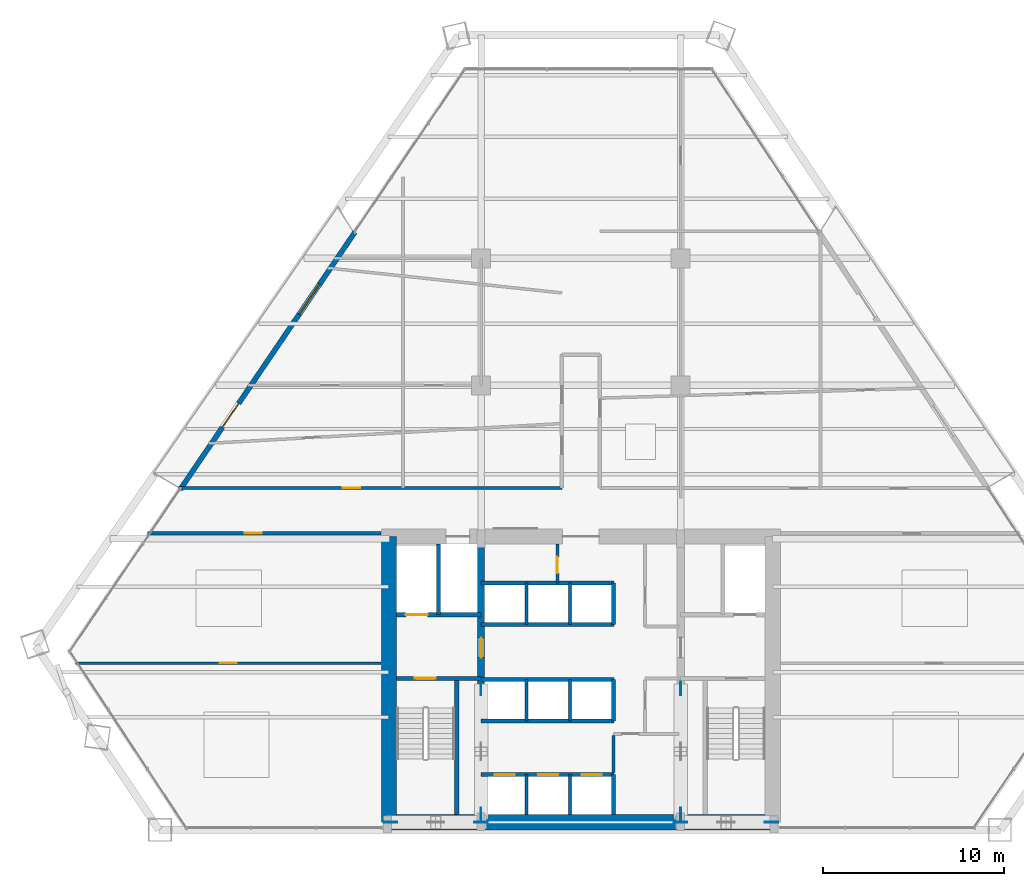
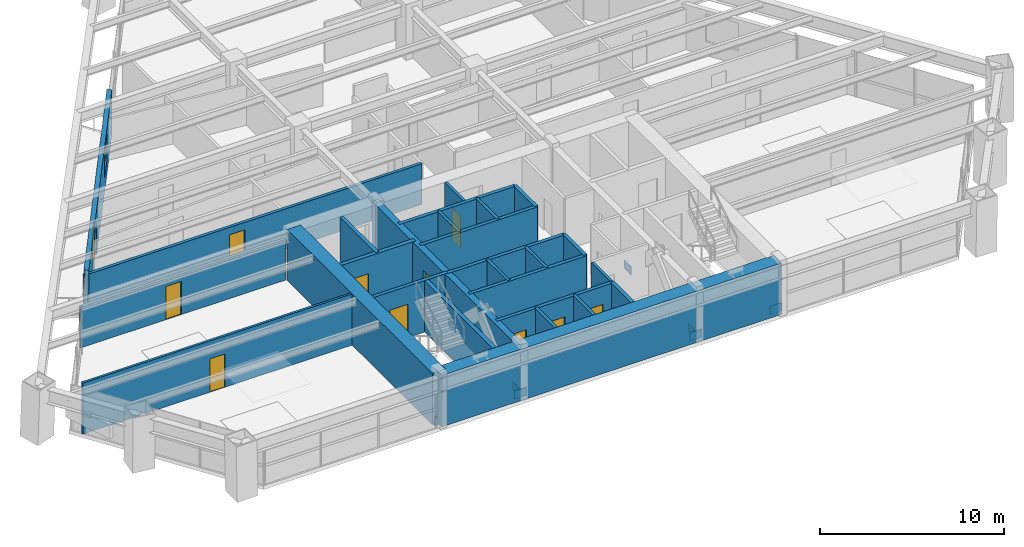
# One storey, part 10 of 14: 27 walls, 11 doors, 8 plates, 1 window, 12 openings.
"""IFC4 building model written with IfcOpenShell, lengths in metres."""

from ifc_helpers import new_model, si_unit, direction, frame, frame_2d, origin, origin_2d, place, context, subcontext, project, spatial, rectangle, extrude, source, transform, mapped, material, layer, layer_set, type_object, type_shapes, element, fill, save


model = new_model("IFC4")

# Units and contexts
model_context = context("Model", 3, precision=1e-05, world=origin(), true_north=direction((0.0, 1.0)))
body_context = subcontext(model_context, "Body", "Model", "MODEL_VIEW")
ifc_project = project(units=[si_unit("LENGTHUNIT", "METRE"), si_unit("AREAUNIT", "SQUARE_METRE"), si_unit("VOLUMEUNIT", "CUBIC_METRE"), si_unit("PLANEANGLEUNIT", "RADIAN"), si_unit("MASSUNIT", "GRAM", prefix="KILO")], contexts=[model_context])

# Site, building, storey
site_placement = place(None, origin())
site = spatial("IfcSite", under=ifc_project, at=site_placement, CompositionType="ELEMENT")
building_placement = place(site_placement, origin())
building = spatial("IfcBuilding", under=site, at=building_placement, Name="Varnakhor Terracotta Tower", CompositionType="ELEMENT")
storey_placement = place(building_placement, frame((0.0, 0.0, 68.199951171875)))
storey = spatial("IfcBuildingStorey", under=building, at=storey_placement, Name="L16", CompositionType="ELEMENT", Elevation=68.199951171875)

# Plates
ifc_material_1 = material(Name="Steel S460", Category="steel")
ifc_layer_1 = layer(ifc_material_1, 0.050048828125, Name="Steel S460")
ifc_layer_set_1 = layer_set([ifc_layer_1], Name="Steel S460")
plate_type = type_object("IfcPlateType", Name="PLT-GUSSET-50", PredefinedType="USERDEFINED", material=ifc_layer_set_1)
shared_shape_1 = source(origin(), body_context, "Body", "SweptSolid", [
    extrude(rectangle(XDim=0.75, YDim=0.0400390625, at=origin_2d()), origin(), (0.0, 0.0, 1.0), 0.550048828125),
])
type_shapes(plate_type, [shared_shape_1])
for number, where, z_axis, x_axis, name in (
    (1, (-10.5, 0.419921875, -0.09521484375), (0.0, 0.0, 1.0), (1.0, 0.0, 0.0), "L16 Core Brace Embed Plate CSWA"),
    (2, (-5.5, 0.419921875, -0.09521484375), (0.0, 0.0, 1.0), (1.0, 0.0, 0.0), "L16 Core Brace Embed Plate CSWB"),
    (3, (5.5, 0.419921875, -0.09521484375), (0.0, 0.0, 1.0), (1.0, 0.0, 0.0), "L16 Core Brace Embed Plate CSEA"),
    (4, (10.5, 0.419921875, -0.09521484375), (0.0, 0.0, 1.0), (1.0, 0.0, 0.0), "L16 Core Brace Embed Plate CSEB"),
    (5, (-5.5, 0.85009765625, -0.09521484375), (0.0, 0.0, 1.0), (0.0, 1.0, 0.0), "L16 Core Brace Embed Plate CWWA"),
    (6, (-5.5, 7.800048828125, -0.09521484375), (0.0, 0.0, 1.0), (0.0, 1.0, 0.0), "L16 Core Brace Embed Plate CWWB"),
    (7, (5.5, 0.85009765625, -0.09521484375), (0.0, 0.0, 1.0), (0.0, 1.0, 0.0), "L16 Core Brace Embed Plate CWEA"),
    (8, (5.5, 7.800048828125, -0.09521484375), (0.0, 0.0, 1.0), (0.0, 1.0, 0.0), "L16 Core Brace Embed Plate CWEB"),
):
    element("IfcPlate", number, at=place(storey_placement, frame(where, z_axis=z_axis, x_axis=x_axis)), inside=storey, type_object=plate_type, Name=name, ObjectType="GUSSET PLATE", PredefinedType="USERDEFINED", context=body_context, shape_type="MappedRepresentation", body=[
        mapped(shared_shape_1, transform((0.0, 0.0, 0.0), scale=1.0)),
    ])

# Walls
ifc_material_2 = material(Name="Concrete C60/75", Category="concrete")
ifc_layer_2 = layer(ifc_material_2, 0.85009765625, Name="Concrete C60/75")
ifc_layer_set_2 = layer_set([ifc_layer_2], Name="Concrete C60/75")
wall_type_1 = type_object("IfcWallType", Name="WAL-CORE-850", PredefinedType="SHEAR", material=ifc_layer_set_2)
wall_1_placement = place(storey_placement, frame((-10.64990234375, 0.425048828125, 0.0), z_axis=(0.0, 0.0, 1.0), x_axis=(1.0, 0.0, 0.0)))
element("IfcWall", 9, at=wall_1_placement, inside=storey, type_object=wall_type_1, Name="L16 South Core Shear Wall", PredefinedType="SHEAR", context=body_context, shape_type="SweptSolid", body=[
    extrude(rectangle(XDim=21.2998046875, YDim=0.85009765625, at=frame_2d((10.64990234375, 0.0))), origin(), (0.0, 0.0, 1.0), 3.400146484375),
])
wall_2_placement = place(storey_placement, frame((-10.574951171875, 0.425048828125, 0.0), z_axis=(0.0, 0.0, 1.0), x_axis=(0.0, 1.0, 0.0)))
element("IfcWall", 10, at=wall_2_placement, inside=storey, type_object=wall_type_1, Name="L16 West Core Shear Wall", PredefinedType="SHEAR", context=body_context, shape_type="SweptSolid", body=[
    extrude(rectangle(XDim=15.75, YDim=0.85009765625, at=frame_2d((7.875, 0.0))), origin(), (0.0, 0.0, 1.0), 3.400146484375),
])

# Wall, opening, door
ifc_material_3 = material(Name="Concrete C50/60", Category="concrete")
ifc_layer_3 = layer(ifc_material_3, 0.39990234375, Name="Concrete C50/60")
ifc_layer_set_3 = layer_set([ifc_layer_3], Name="Concrete C50/60")
wall_type_2 = type_object("IfcWallType", Name="WAL-CORE-WEB-400", PredefinedType="SHEAR", material=ifc_layer_set_3)
wall_3_placement = place(storey_placement, frame((-5.5, 0.425048828125, 0.0), z_axis=(0.0, 0.0, 1.0), x_axis=(0.0, 1.0, 0.0)))
wall_3 = element("IfcWall", 11, at=wall_3_placement, inside=storey, type_object=wall_type_2, Name="L16 West Core Web Shear Wall", PredefinedType="SHEAR", context=body_context, shape_type="SweptSolid", body=[
    extrude(rectangle(XDim=15.75, YDim=0.39990234375, at=frame_2d((7.875, 0.0))), origin(), (0.0, 0.0, 1.0), 3.400146484375),
])
opening_1_placement = place(wall_3_placement, frame((9.074951171875, 0.0, 0.0)))
opening_1 = element("IfcOpeningElement", 12, at=opening_1_placement, cuts=wall_3, Name="Opening DR-25", PredefinedType="OPENING", context=body_context, shape_type="SweptSolid", body=[
    extrude(rectangle(XDim=1.10009765625, YDim=2.199951171875, at=frame_2d((0.550048828125, 1.10009765625))), frame((0.0, 0.2099609375, 0.0), z_axis=(0.0, -1.0, 0.0), x_axis=(1.0, 0.0, 0.0)), (0.0, 0.0, 1.0), 0.419921875),
])
ifc_material_4 = material(Name="Firefighting Lobby Self-Closing Fire Door", Category="steel")
door_type_1 = type_object("IfcDoorType", Name="DR-FFL-1100X2200", OperationType="NOTDEFINED", PredefinedType="DOOR", material=ifc_material_4)
shared_shape_2 = source(origin(), body_context, "Body", "SweptSolid", [
    extrude(rectangle(XDim=1.10009765625, YDim=2.199951171875, at=frame_2d((0.550048828125, 1.10009765625))), frame((0.0, 0.02490234375, 0.0), z_axis=(0.0, -1.0, 0.0), x_axis=(1.0, 0.0, 0.0)), (0.0, 0.0, 1.0), 0.050048828125),
])
type_shapes(door_type_1, [shared_shape_2])
door_1_placement = place(opening_1_placement, origin())
door_1 = element("IfcDoor", 13, at=door_1_placement, inside=storey, type_object=door_type_1, Name="L16 West Firefighting Lobby Door", OperationType="SINGLE_SWING_RIGHT", OverallHeight=2.199951171875, OverallWidth=1.10009765625, PredefinedType="DOOR", context=body_context, shape_type="MappedRepresentation", body=[
    mapped(shared_shape_2, transform((0.0, 0.0, 0.0), scale=1.0)),
])
fill(opening_1, door_1)

ifc_material_5 = material(Name="Fire-Rated Gypsum Stud Partition", Category="gypsum")
ifc_layer_4 = layer(ifc_material_5, 0.18505859375, Name="Fire-Rated Gypsum Stud Partition")
ifc_layer_set_4 = layer_set([ifc_layer_4], Name="Fire-Rated Gypsum Stud Partition")
wall_type_3 = type_object("IfcWallType", Name="WAL-CORR-185", PredefinedType="PARTITIONING", material=ifc_layer_set_4)
wall_4_placement = place(storey_placement, frame((-23.88134765625, 16.35009765625, 0.0), z_axis=(0.0, 0.0, 1.0), x_axis=(1.0, 0.0, 0.0)))
wall_4 = element("IfcWall", 14, at=wall_4_placement, inside=storey, type_object=wall_type_3, Name="L16 South West Corridor Wall", PredefinedType="PARTITIONING", context=body_context, shape_type="SweptSolid", body=[
    extrude(rectangle(XDim=12.861328125, YDim=0.18505859375, at=frame_2d((6.4306640625, 0.0))), origin(), (0.0, 0.0, 1.0), 2.697021484375),
])
opening_2_placement = place(wall_4_placement, frame((5.3466796875, 0.0, 0.0)))
opening_2 = element("IfcOpeningElement", 15, at=opening_2_placement, cuts=wall_4, Name="Opening DR-94", PredefinedType="OPENING", context=body_context, shape_type="SweptSolid", body=[
    extrude(rectangle(XDim=0.949951171875, YDim=2.199951171875, at=frame_2d((0.47509765625, 1.10009765625))), frame((0.0, 0.1025390625, 0.0), z_axis=(0.0, -1.0, 0.0), x_axis=(1.0, 0.0, 0.0)), (0.0, 0.0, 1.0), 0.205078125),
])
ifc_material_6 = material(Name="Acoustic Glazed-Vision Timber Office Door", Category="wood")
door_type_2 = type_object("IfcDoorType", Name="DR-OFF-950X2200", OperationType="NOTDEFINED", PredefinedType="DOOR", material=ifc_material_6)
shared_shape_3 = source(origin(), body_context, "Body", "SweptSolid", [
    extrude(rectangle(XDim=0.949951171875, YDim=2.199951171875, at=frame_2d((0.47509765625, 1.10009765625))), frame((0.0, 0.02490234375, 0.0), z_axis=(0.0, -1.0, 0.0), x_axis=(1.0, 0.0, 0.0)), (0.0, 0.0, 1.0), 0.050048828125),
])
type_shapes(door_type_2, [shared_shape_3])
door_2_placement = place(opening_2_placement, origin())
door_2 = element("IfcDoor", 16, at=door_2_placement, inside=storey, type_object=door_type_2, Name="L16 SW Suite Door", OperationType="SINGLE_SWING_LEFT", OverallHeight=2.199951171875, OverallWidth=0.949951171875, PredefinedType="DOOR", context=body_context, shape_type="MappedRepresentation", body=[
    mapped(shared_shape_3, transform((0.0, 0.0, 0.0), scale=1.0)),
])
fill(opening_2, door_2)

wall_5_placement = place(storey_placement, frame((-22.183837890625, 18.85009765625, 0.0), z_axis=(0.0, 0.0, 1.0), x_axis=(1.0, 0.0, 0.0)))
wall_5 = element("IfcWall", 17, at=wall_5_placement, inside=storey, type_object=wall_type_3, Name="L16 Corridor North West Wall", PredefinedType="PARTITIONING", context=body_context, shape_type="SweptSolid", body=[
    extrude(rectangle(XDim=21.1337890625, YDim=0.18505859375, at=frame_2d((10.56689453125, 0.0))), origin(), (0.0, 0.0, 1.0), 2.697021484375),
])
opening_3_placement = place(wall_5_placement, frame((9.069091796875, 0.0, 0.0)))
opening_3 = element("IfcOpeningElement", 18, at=opening_3_placement, cuts=wall_5, Name="Opening DR-94", PredefinedType="OPENING", context=body_context, shape_type="SweptSolid", body=[
    extrude(rectangle(XDim=0.949951171875, YDim=2.199951171875, at=frame_2d((0.47509765625, 1.10009765625))), frame((0.0, 0.1025390625, 0.0), z_axis=(0.0, -1.0, 0.0), x_axis=(1.0, 0.0, 0.0)), (0.0, 0.0, 1.0), 0.205078125),
])
door_3_placement = place(opening_3_placement, origin())
door_3 = element("IfcDoor", 19, at=door_3_placement, inside=storey, type_object=door_type_2, Name="L16 West Workplace Door", OperationType="SINGLE_SWING_LEFT", OverallHeight=2.199951171875, OverallWidth=0.949951171875, PredefinedType="DOOR", context=body_context, shape_type="MappedRepresentation", body=[
    mapped(shared_shape_3, transform((0.0, 0.0, 0.0), scale=1.0)),
])
fill(opening_3, door_3)

# Wall, openings, door, window
ifc_material_7 = material(Name="Extruded Architectural Terracotta Assembly", Category="masonry")
ifc_layer_5 = layer(ifc_material_7, 0.280029296875, Name="Extruded Architectural Terracotta Assembly")
ifc_layer_set_5 = layer_set([ifc_layer_5], Name="Extruded Architectural Terracotta Assembly")
wall_type_4 = type_object("IfcWallType", Name="WAL-EXT-TERRACOTTA-280", PredefinedType="SOLIDWALL", material=ifc_layer_set_5)
wall_6_placement = place(storey_placement, frame((-22.06982421875, 18.78662109375, 0.0), z_axis=(0.0, 0.0, 1.0), x_axis=(0.561747544835, 0.827308706513, 0.0)))
wall_6 = element("IfcWall", 20, at=wall_6_placement, inside=storey, type_object=wall_type_4, Name="L16 W Loggia Insulated Terracotta Wall", PredefinedType="SOLIDWALL", context=body_context, shape_type="SweptSolid", body=[
    extrude(rectangle(XDim=17.12353515625, YDim=0.280029296875, at=frame_2d((8.561767578125, 0.0))), origin(), (0.0, 0.0, 1.0), 2.97998046875),
])
opening_4_placement = place(wall_6_placement, frame((4.109619140625, 0.0, 0.0)))
opening_4 = element("IfcOpeningElement", 21, at=opening_4_placement, cuts=wall_6, Name="Opening DR-62", PredefinedType="OPENING", context=body_context, shape_type="SweptSolid", body=[
    extrude(rectangle(XDim=1.60009765625, YDim=2.35009765625, at=frame_2d((0.800048828125, 1.175048828125))), frame((0.0, 0.14990234375, 0.0), z_axis=(0.0, -1.0, 0.0), x_axis=(1.0, 0.0, 0.0)), (0.0, 0.0, 1.0), 0.300048828125),
])
opening_5_placement = place(wall_6_placement, frame((11.64404296875, 0.0, 0.89990234375)))
opening_5 = element("IfcOpeningElement", 22, at=opening_5_placement, cuts=wall_6, Name="Opening WN-26", PredefinedType="OPENING", context=body_context, shape_type="SweptSolid", body=[
    extrude(rectangle(XDim=2.0, YDim=1.85009765625, at=frame_2d((1.0, 0.925048828125))), frame((0.0, 0.14990234375, 0.0), z_axis=(0.0, -1.0, 0.0), x_axis=(1.0, 0.0, 0.0)), (0.0, 0.0, 1.0), 0.300048828125),
])
ifc_material_8 = material(Name="Thermally Broken Sliding Glass Loggia Door", Category="glass")
door_type_3 = type_object("IfcDoorType", Name="DR-EXT-LOGGIA-1600X2350", OperationType="NOTDEFINED", PredefinedType="DOOR", material=ifc_material_8)
shared_shape_4 = source(origin(), body_context, "Body", "SweptSolid", [
    extrude(rectangle(XDim=1.60009765625, YDim=2.35009765625, at=frame_2d((0.800048828125, 1.175048828125))), frame((0.0, 0.02490234375, 0.0), z_axis=(0.0, -1.0, 0.0), x_axis=(1.0, 0.0, 0.0)), (0.0, 0.0, 1.0), 0.050048828125),
])
type_shapes(door_type_3, [shared_shape_4])
door_4_placement = place(opening_4_placement, origin())
door_4 = element("IfcDoor", 23, at=door_4_placement, inside=storey, type_object=door_type_3, Name="L16 W Recessed Loggia Sliding Door", OperationType="SLIDING_TO_LEFT", OverallHeight=2.35009765625, OverallWidth=1.60009765625, PredefinedType="DOOR", context=body_context, shape_type="MappedRepresentation", body=[
    mapped(shared_shape_4, transform((0.0, 0.0, 0.0), scale=1.0)),
])
fill(opening_4, door_4)
ifc_material_9 = material(Name="Solar-Control Low-E Insulated Glass Unit", Category="glass")
window_type = type_object("IfcWindowType", Name="WIN-OFF-2200X2100", PartitioningType="SINGLE_PANEL", PredefinedType="WINDOW", material=ifc_material_9)
shared_shape_5 = source(origin(), body_context, "Body", "SweptSolid", [
    extrude(rectangle(XDim=2.0, YDim=1.85009765625, at=frame_2d((1.0, 0.925048828125))), frame((0.0, 0.030029296875, 0.0), z_axis=(0.0, -1.0, 0.0), x_axis=(1.0, 0.0, 0.0)), (0.0, 0.0, 1.0), 0.06005859375),
])
type_shapes(window_type, [shared_shape_5])
window_placement = place(opening_5_placement, origin())
window = element("IfcWindow", 24, at=window_placement, inside=storey, type_object=window_type, Name="L16 W Facet Punched Window", OverallHeight=1.85009765625, OverallWidth=2.0, PartitioningType="SINGLE_PANEL", PredefinedType="WINDOW", context=body_context, shape_type="MappedRepresentation", body=[
    mapped(shared_shape_5, transform((0.0, 0.0, 0.0), scale=1.0)),
])
fill(opening_5, window)

# Wall, opening, door
ifc_material_10 = material(Name="Concrete C40/50", Category="concrete")
ifc_layer_6 = layer(ifc_material_10, 0.219970703125, Name="Concrete C40/50")
ifc_layer_set_6 = layer_set([ifc_layer_6], Name="Concrete C40/50")
wall_type_5 = type_object("IfcWallType", Name="WAL-FFLOBBY-220", PredefinedType="SOLIDWALL", material=ifc_layer_set_6)
wall_7_placement = place(storey_placement, frame((-5.5, 8.35009765625, 0.0), z_axis=(0.0, 0.0, 1.0), x_axis=(-1.0, 0.0, 0.0)))
wall_7 = element("IfcWall", 25, at=wall_7_placement, inside=storey, type_object=wall_type_5, Name="L16 West Firefighting Lobby Stair Wall", PredefinedType="SOLIDWALL", context=body_context, shape_type="SweptSolid", body=[
    extrude(rectangle(XDim=4.64990234375, YDim=0.219970703125, at=frame_2d((2.324951171875, 0.0))), origin(), (0.0, 0.0, 1.0), 3.400146484375),
])
opening_6_placement = place(wall_7_placement, frame((2.5, 0.0, 0.0)))
opening_6 = element("IfcOpeningElement", 26, at=opening_6_placement, cuts=wall_7, Name="Opening DR-34", PredefinedType="OPENING", context=body_context, shape_type="SweptSolid", body=[
    extrude(rectangle(XDim=1.14990234375, YDim=2.199951171875, at=frame_2d((0.574951171875, 1.10009765625))), frame((0.0, 0.1201171875, 0.0), z_axis=(0.0, -1.0, 0.0), x_axis=(1.0, 0.0, 0.0)), (0.0, 0.0, 1.0), 0.239990234375),
])
ifc_material_11 = material(Name="Self-Closing Smoke-Sealed Steel Fire Door", Category="steel")
door_type_4 = type_object("IfcDoorType", Name="DR-STAIR-1150X2200", OperationType="NOTDEFINED", PredefinedType="DOOR", material=ifc_material_11)
shared_shape_6 = source(origin(), body_context, "Body", "SweptSolid", [
    extrude(rectangle(XDim=1.14990234375, YDim=2.199951171875, at=frame_2d((0.574951171875, 1.10009765625))), frame((0.0, 0.02490234375, 0.0), z_axis=(0.0, -1.0, 0.0), x_axis=(1.0, 0.0, 0.0)), (0.0, 0.0, 1.0), 0.050048828125),
])
type_shapes(door_type_4, [shared_shape_6])
door_5_placement = place(opening_6_placement, origin())
door_5 = element("IfcDoor", 27, at=door_5_placement, inside=storey, type_object=door_type_4, Name="L16 Exit Stair ST-1 Fire Door", OperationType="SINGLE_SWING_LEFT", OverallHeight=2.199951171875, OverallWidth=1.14990234375, PredefinedType="DOOR", context=body_context, shape_type="MappedRepresentation", body=[
    mapped(shared_shape_6, transform((0.0, 0.0, 0.0), scale=1.0)),
])
fill(opening_6, door_5)

ifc_material_12 = material(Name="Acoustic Metal-Stud Partition", Category="gypsum")
ifc_layer_7 = layer(ifc_material_12, 0.139892578125, Name="Acoustic Metal-Stud Partition")
ifc_layer_set_7 = layer_set([ifc_layer_7], Name="Acoustic Metal-Stud Partition")
wall_type_6 = type_object("IfcWallType", Name="WAL-PART-140", PredefinedType="PARTITIONING", material=ifc_layer_set_7)
wall_8_placement = place(storey_placement, frame((-27.86669921875, 9.199951171875, 0.0), z_axis=(0.0, 0.0, 1.0), x_axis=(1.0, 0.0, 0.0)))
wall_8 = element("IfcWall", 28, at=wall_8_placement, inside=storey, type_object=wall_type_6, Name="L16 South West Cut 1", PredefinedType="PARTITIONING", context=body_context, shape_type="SweptSolid", body=[
    extrude(rectangle(XDim=16.8466796875, YDim=0.139892578125, at=frame_2d((8.42333984375, 0.0))), origin(), (0.0, 0.0, 1.0), 3.39208984375),
])
opening_7_placement = place(wall_8_placement, frame((7.958740234375, 0.0, 0.0)))
opening_7 = element("IfcOpeningElement", 29, at=opening_7_placement, cuts=wall_8, Name="Opening DR-94", PredefinedType="OPENING", context=body_context, shape_type="SweptSolid", body=[
    extrude(rectangle(XDim=0.949951171875, YDim=2.199951171875, at=frame_2d((0.47509765625, 1.10009765625))), frame((0.0, 0.080078125, 0.0), z_axis=(0.0, -1.0, 0.0), x_axis=(1.0, 0.0, 0.0)), (0.0, 0.0, 1.0), 0.159912109375),
])
door_6_placement = place(opening_7_placement, origin())
door_6 = element("IfcDoor", 30, at=door_6_placement, inside=storey, type_object=door_type_2, Name="L16 South West Executive Office Door", OperationType="SINGLE_SWING_LEFT", OverallHeight=2.199951171875, OverallWidth=0.949951171875, PredefinedType="DOOR", context=body_context, shape_type="MappedRepresentation", body=[
    mapped(shared_shape_3, transform((0.0, 0.0, 0.0), scale=1.0)),
])
fill(opening_7, door_6)

# Walls
ifc_layer_8 = layer(ifc_material_10, 0.179931640625, Name="Concrete C40/50")
ifc_layer_set_8 = layer_set([ifc_layer_8], Name="Concrete C40/50")
wall_type_7 = type_object("IfcWallType", Name="WAL-SHAFT-180", PredefinedType="SOLIDWALL", material=ifc_layer_set_8)
for number, where, z_axis, x_axis, name in (
    (31, (-3.0, 0.85009765625, 0.0), (0.0, 0.0, 1.0), (0.0, 1.0, 0.0), "L16 PL-1A Divider"),
    (32, (-0.60009765625, 0.85009765625, 0.0), (0.0, 0.0, 1.0), (0.0, 1.0, 0.0), "L16 PL-1B Divider"),
):
    element("IfcWall", number, at=place(storey_placement, frame(where, z_axis=z_axis, x_axis=x_axis)), inside=storey, type_object=wall_type_7, Name=name, PredefinedType="SOLIDWALL", context=body_context, shape_type="SweptSolid", body=[
        extrude(rectangle(XDim=2.199951171875, YDim=0.179931640625, at=frame_2d((1.10009765625, 0.0))), origin(), (0.0, 0.0, 1.0), 3.400146484375),
    ])
for number, where, z_axis, x_axis, name in (
    (33, (-3.0, 6.0, 0.0), (0.0, 0.0, 1.0), (0.0, 1.0, 0.0), "L16 PL-2A Divider"),
    (34, (-0.60009765625, 6.0, 0.0), (0.0, 0.0, 1.0), (0.0, 1.0, 0.0), "L16 PL-2B Divider"),
    (35, (-3.0, 11.320068359375, 0.0), (0.0, 0.0, 1.0), (0.0, 1.0, 0.0), "L16 PL-3A Divider"),
    (36, (-0.60009765625, 11.320068359375, 0.0), (0.0, 0.0, 1.0), (0.0, 1.0, 0.0), "L16 PL-3B Divider"),
):
    element("IfcWall", number, at=place(storey_placement, frame(where, z_axis=z_axis, x_axis=x_axis)), inside=storey, type_object=wall_type_7, Name=name, PredefinedType="SOLIDWALL", context=body_context, shape_type="SweptSolid", body=[
        extrude(rectangle(XDim=2.300048828125, YDim=0.179931640625, at=frame_2d((1.14990234375, 0.0))), origin(), (0.0, 0.0, 1.0), 3.400146484375),
    ])
ifc_layer_9 = layer(ifc_material_10, 0.219970703125, Name="Concrete C40/50")
ifc_layer_set_9 = layer_set([ifc_layer_9], Name="Concrete C40/50")
wall_type_8 = type_object("IfcWallType", Name="WAL-SHAFT-220", PredefinedType="SOLIDWALL", material=ifc_layer_set_9)
wall_9_placement = place(storey_placement, frame((-7.840087890625, 11.8701171875, 0.0), z_axis=(0.0, 0.0, 1.0), x_axis=(0.0, 1.0, 0.0)))
element("IfcWall", 37, at=wall_9_placement, inside=storey, type_object=wall_type_8, Name="L16 Lift FFL-1 and SVL-1 Divider Wall", PredefinedType="SOLIDWALL", context=body_context, shape_type="SweptSolid", body=[
    extrude(rectangle(XDim=3.8798828125, YDim=0.219970703125, at=frame_2d((1.93994140625, 0.0))), origin(), (0.0, 0.0, 1.0), 3.400146484375),
])

# Wall, openings, doors
wall_10_placement = place(storey_placement, frame((-5.5, 3.050048828125, 0.0), z_axis=(0.0, 0.0, 1.0), x_axis=(1.0, 0.0, 0.0)))
wall_10 = element("IfcWall", 38, at=wall_10_placement, inside=storey, type_object=wall_type_8, Name="L16 Bank 1 Lift Shaft Wall", PredefinedType="SOLIDWALL", context=body_context, shape_type="SweptSolid", body=[
    extrude(rectangle(XDim=7.320068359375, YDim=0.219970703125, at=frame_2d((3.66015625, 0.0))), origin(), (0.0, 0.0, 1.0), 3.400146484375),
])
opening_8_placement = place(wall_10_placement, frame((0.75, 0.0, 0.0)))
opening_8 = element("IfcOpeningElement", 39, at=opening_8_placement, cuts=wall_10, Name="Opening LD-01", PredefinedType="OPENING", context=body_context, shape_type="SweptSolid", body=[
    extrude(rectangle(XDim=1.10009765625, YDim=2.199951171875, at=frame_2d((0.550048828125, 1.10009765625))), frame((0.0, 0.1201171875, 0.0), z_axis=(0.0, -1.0, 0.0), x_axis=(1.0, 0.0, 0.0)), (0.0, 0.0, 1.0), 0.239990234375),
])
opening_9_placement = place(wall_10_placement, frame((3.14990234375, 0.0, 0.0)))
opening_9 = element("IfcOpeningElement", 40, at=opening_9_placement, cuts=wall_10, Name="Opening LD-01", PredefinedType="OPENING", context=body_context, shape_type="SweptSolid", body=[
    extrude(rectangle(XDim=1.10009765625, YDim=2.199951171875, at=frame_2d((0.550048828125, 1.10009765625))), frame((0.0, 0.1201171875, 0.0), z_axis=(0.0, -1.0, 0.0), x_axis=(1.0, 0.0, 0.0)), (0.0, 0.0, 1.0), 0.239990234375),
])
opening_10_placement = place(wall_10_placement, frame((5.550048828125, 0.0, 0.0)))
opening_10 = element("IfcOpeningElement", 41, at=opening_10_placement, cuts=wall_10, Name="Opening LD-01", PredefinedType="OPENING", context=body_context, shape_type="SweptSolid", body=[
    extrude(rectangle(XDim=1.10009765625, YDim=2.199951171875, at=frame_2d((0.550048828125, 1.10009765625))), frame((0.0, 0.1201171875, 0.0), z_axis=(0.0, -1.0, 0.0), x_axis=(1.0, 0.0, 0.0)), (0.0, 0.0, 1.0), 0.239990234375),
])
ifc_material_13 = material(Name="Brushed Stainless Steel Sliding Lift Landing Door", Category="steel")
door_type_5 = type_object("IfcDoorType", Name="LD-PASS-1100X2200", OperationType="NOTDEFINED", PredefinedType="DOOR", material=ifc_material_13)
shared_shape_7 = source(origin(), body_context, "Body", "SweptSolid", [
    extrude(rectangle(XDim=1.10009765625, YDim=2.199951171875, at=frame_2d((0.550048828125, 1.10009765625))), frame((0.0, 0.02490234375, 0.0), z_axis=(0.0, -1.0, 0.0), x_axis=(1.0, 0.0, 0.0)), (0.0, 0.0, 1.0), 0.050048828125),
])
type_shapes(door_type_5, [shared_shape_7])
door_7_placement = place(opening_8_placement, origin())
door_7 = element("IfcDoor", 42, at=door_7_placement, inside=storey, type_object=door_type_5, Name="L16 Passenger Lift PL-1A Landing Door", OperationType="SLIDING_TO_RIGHT", OverallHeight=2.199951171875, OverallWidth=1.10009765625, PredefinedType="DOOR", context=body_context, shape_type="MappedRepresentation", body=[
    mapped(shared_shape_7, transform((0.0, 0.0, 0.0), scale=1.0)),
])
fill(opening_8, door_7)
door_8_placement = place(opening_9_placement, origin())
door_8 = element("IfcDoor", 43, at=door_8_placement, inside=storey, type_object=door_type_5, Name="L16 Passenger Lift PL-1B Landing Door", OperationType="SLIDING_TO_RIGHT", OverallHeight=2.199951171875, OverallWidth=1.10009765625, PredefinedType="DOOR", context=body_context, shape_type="MappedRepresentation", body=[
    mapped(shared_shape_7, transform((0.0, 0.0, 0.0), scale=1.0)),
])
fill(opening_9, door_8)
door_9_placement = place(opening_10_placement, origin())
door_9 = element("IfcDoor", 44, at=door_9_placement, inside=storey, type_object=door_type_5, Name="L16 Passenger Lift PL-1C Landing Door", OperationType="SLIDING_TO_RIGHT", OverallHeight=2.199951171875, OverallWidth=1.10009765625, PredefinedType="DOOR", context=body_context, shape_type="MappedRepresentation", body=[
    mapped(shared_shape_7, transform((0.0, 0.0, 0.0), scale=1.0)),
])
fill(opening_10, door_9)

# Walls
wall_11_placement = place(storey_placement, frame((1.800048828125, 0.85009765625, 0.0), z_axis=(0.0, 0.0, 1.0), x_axis=(0.0, 1.0, 0.0)))
element("IfcWall", 45, at=wall_11_placement, inside=storey, type_object=wall_type_8, Name="L16 Bank 1 East Shaft Wall", PredefinedType="SOLIDWALL", context=body_context, shape_type="SweptSolid", body=[
    extrude(rectangle(XDim=2.199951171875, YDim=0.219970703125, at=frame_2d((1.10009765625, 0.0))), origin(), (0.0, 0.0, 1.0), 3.400146484375),
])
for number, where, z_axis, x_axis, name in (
    (46, (-5.5, 6.0, 0.0), (0.0, 0.0, 1.0), (1.0, 0.0, 0.0), "L16 Bank 2 South Shaft Wall"),
    (47, (-5.5, 8.300048828125, 0.0), (0.0, 0.0, 1.0), (1.0, 0.0, 0.0), "L16 Bank 2 North Shaft Wall"),
):
    element("IfcWall", number, at=place(storey_placement, frame(where, z_axis=z_axis, x_axis=x_axis)), inside=storey, type_object=wall_type_8, Name=name, PredefinedType="SOLIDWALL", context=body_context, shape_type="SweptSolid", body=[
        extrude(rectangle(XDim=7.320068359375, YDim=0.219970703125, at=frame_2d((3.66015625, 0.0))), origin(), (0.0, 0.0, 1.0), 3.400146484375),
    ])
wall_12_placement = place(storey_placement, frame((1.800048828125, 6.0, 0.0), z_axis=(0.0, 0.0, 1.0), x_axis=(0.0, 1.0, 0.0)))
element("IfcWall", 48, at=wall_12_placement, inside=storey, type_object=wall_type_8, Name="L16 Bank 2 East Shaft Wall", PredefinedType="SOLIDWALL", context=body_context, shape_type="SweptSolid", body=[
    extrude(rectangle(XDim=2.300048828125, YDim=0.219970703125, at=frame_2d((1.14990234375, 0.0))), origin(), (0.0, 0.0, 1.0), 3.400146484375),
])
for number, where, z_axis, x_axis, name in (
    (49, (-5.5, 11.320068359375, 0.0), (0.0, 0.0, 1.0), (1.0, 0.0, 0.0), "L16 Bank 3 South Shaft Wall"),
    (50, (-5.5, 13.6201171875, 0.0), (0.0, 0.0, 1.0), (1.0, 0.0, 0.0), "L16 Bank 3 North Shaft Wall"),
):
    element("IfcWall", number, at=place(storey_placement, frame(where, z_axis=z_axis, x_axis=x_axis)), inside=storey, type_object=wall_type_8, Name=name, PredefinedType="SOLIDWALL", context=body_context, shape_type="SweptSolid", body=[
        extrude(rectangle(XDim=7.320068359375, YDim=0.219970703125, at=frame_2d((3.66015625, 0.0))), origin(), (0.0, 0.0, 1.0), 3.400146484375),
    ])
wall_13_placement = place(storey_placement, frame((1.800048828125, 11.320068359375, 0.0), z_axis=(0.0, 0.0, 1.0), x_axis=(0.0, 1.0, 0.0)))
element("IfcWall", 51, at=wall_13_placement, inside=storey, type_object=wall_type_8, Name="L16 Bank 3 East Shaft Wall", PredefinedType="SOLIDWALL", context=body_context, shape_type="SweptSolid", body=[
    extrude(rectangle(XDim=2.300048828125, YDim=0.219970703125, at=frame_2d((1.14990234375, 0.0))), origin(), (0.0, 0.0, 1.0), 3.400146484375),
])
ifc_layer_10 = layer(ifc_material_10, 0.25, Name="Concrete C40/50")
ifc_layer_set_10 = layer_set([ifc_layer_10], Name="Concrete C40/50")
wall_type_9 = type_object("IfcWallType", Name="WAL-SHAFT-250", PredefinedType="SOLIDWALL", material=ifc_layer_set_10)
wall_14_placement = place(storey_placement, frame((-6.85009765625, 0.85009765625, 0.0), z_axis=(0.0, 0.0, 1.0), x_axis=(0.0, 1.0, 0.0)))
element("IfcWall", 52, at=wall_14_placement, inside=storey, type_object=wall_type_9, Name="L16 Stair ST-1 Bearing Shaft Wall", PredefinedType="SOLIDWALL", context=body_context, shape_type="SweptSolid", body=[
    extrude(rectangle(XDim=7.5, YDim=0.25, at=frame_2d((3.75, 0.0))), origin(), (0.0, 0.0, 1.0), 3.400146484375),
])

# Wall, opening, door
wall_15_placement = place(storey_placement, frame((-5.5, 11.8701171875, 0.0), z_axis=(0.0, 0.0, 1.0), x_axis=(-1.0, 0.0, 0.0)))
wall_15 = element("IfcWall", 53, at=wall_15_placement, inside=storey, type_object=wall_type_9, Name="L16 Lift FFL-1 Shaft Front Wall", PredefinedType="SOLIDWALL", context=body_context, shape_type="SweptSolid", body=[
    extrude(rectangle(XDim=4.64990234375, YDim=0.25, at=frame_2d((2.324951171875, 0.0))), origin(), (0.0, 0.0, 1.0), 3.400146484375),
])
opening_11_placement = place(wall_15_placement, frame((2.949951171875, 0.0, 0.0)))
opening_11 = element("IfcOpeningElement", 54, at=opening_11_placement, cuts=wall_15, Name="Opening LD-02", PredefinedType="OPENING", context=body_context, shape_type="SweptSolid", body=[
    extrude(rectangle(XDim=1.199951171875, YDim=2.25, at=frame_2d((0.60009765625, 1.125))), frame((0.0, 0.135009765625, 0.0), z_axis=(0.0, -1.0, 0.0), x_axis=(1.0, 0.0, 0.0)), (0.0, 0.0, 1.0), 0.27001953125),
])
ifc_material_14 = material(Name="Firefighting Stretcher Sliding Lift Landing Door", Category="steel")
door_type_6 = type_object("IfcDoorType", Name="LD-FFL-1200X2250", OperationType="NOTDEFINED", PredefinedType="DOOR", material=ifc_material_14)
shared_shape_8 = source(origin(), body_context, "Body", "SweptSolid", [
    extrude(rectangle(XDim=1.199951171875, YDim=2.25, at=frame_2d((0.60009765625, 1.125))), frame((0.0, 0.02490234375, 0.0), z_axis=(0.0, -1.0, 0.0), x_axis=(1.0, 0.0, 0.0)), (0.0, 0.0, 1.0), 0.050048828125),
])
type_shapes(door_type_6, [shared_shape_8])
door_10_placement = place(opening_11_placement, origin())
door_10 = element("IfcDoor", 55, at=door_10_placement, inside=storey, type_object=door_type_6, Name="L16 Firefighting Lift FFL-1 Landing Door", OperationType="SLIDING_TO_LEFT", OverallHeight=2.25, OverallWidth=1.199951171875, PredefinedType="DOOR", context=body_context, shape_type="MappedRepresentation", body=[
    mapped(shared_shape_8, transform((0.0, 0.0, 0.0), scale=1.0)),
])
fill(opening_11, door_10)

# Wall
ifc_material_15 = material(Name="Acoustic Fire-Rated Partition", Category="gypsum")
ifc_layer_11 = layer(ifc_material_15, 0.1650390625, Name="Acoustic Fire-Rated Partition")
ifc_layer_set_11 = layer_set([ifc_layer_11], Name="Acoustic Fire-Rated Partition")
wall_type_10 = type_object("IfcWallType", Name="WAL-TENANCY-165", PredefinedType="PARTITIONING", material=ifc_layer_set_11)
wall_16_placement = place(storey_placement, frame((1.800048828125, 3.159912109375, 0.0), z_axis=(0.0, 0.0, 1.0), x_axis=(0.0, 1.0, 0.0)))
element("IfcWall", 56, at=wall_16_placement, inside=storey, type_object=wall_type_10, Name="L16 Core South West Return Wall", PredefinedType="PARTITIONING", context=body_context, shape_type="SweptSolid", body=[
    extrude(rectangle(XDim=2.0576171875, YDim=0.1650390625, at=frame_2d((1.02880859375, 0.0))), origin(), (0.0, 0.0, 1.0), 3.39208984375),
])

# Wall, opening, door
wall_17_placement = place(storey_placement, frame((-1.300048828125, 13.60009765625, 0.0), z_axis=(0.0, 0.0, 1.0), x_axis=(0.0, 1.0, 0.0)))
wall_17 = element("IfcWall", 57, at=wall_17_placement, inside=storey, type_object=wall_type_10, Name="L16 Male Restroom Wall", PredefinedType="PARTITIONING", context=body_context, shape_type="SweptSolid", body=[
    extrude(rectangle(XDim=2.14990234375, YDim=0.1650390625, at=frame_2d((1.074951171875, 0.0))), origin(), (0.0, 0.0, 1.0), 3.39208984375),
])
opening_12_placement = place(wall_17_placement, frame((0.550048828125, 0.0, 0.0)))
opening_12 = element("IfcOpeningElement", 58, at=opening_12_placement, cuts=wall_17, Name="Opening DR-67", PredefinedType="OPENING", context=body_context, shape_type="SweptSolid", body=[
    extrude(rectangle(XDim=0.89990234375, YDim=2.10009765625, at=frame_2d((0.449951171875, 1.050048828125))), frame((0.0, 0.092529296875, 0.0), z_axis=(0.0, -1.0, 0.0), x_axis=(1.0, 0.0, 0.0)), (0.0, 0.0, 1.0), 0.18505859375),
])
ifc_material_16 = material(Name="Steel Service Riser Fire Door", Category="steel")
door_type_7 = type_object("IfcDoorType", Name="DR-RISER-900X2100", OperationType="NOTDEFINED", PredefinedType="DOOR", material=ifc_material_16)
shared_shape_9 = source(origin(), body_context, "Body", "SweptSolid", [
    extrude(rectangle(XDim=0.89990234375, YDim=2.10009765625, at=frame_2d((0.449951171875, 1.050048828125))), frame((0.0, 0.02490234375, 0.0), z_axis=(0.0, -1.0, 0.0), x_axis=(1.0, 0.0, 0.0)), (0.0, 0.0, 1.0), 0.050048828125),
])
type_shapes(door_type_7, [shared_shape_9])
door_11_placement = place(opening_12_placement, origin())
door_11 = element("IfcDoor", 59, at=door_11_placement, inside=storey, type_object=door_type_7, Name="L16 Male WC Door", OperationType="SINGLE_SWING_LEFT", OverallHeight=2.10009765625, OverallWidth=0.89990234375, PredefinedType="DOOR", context=body_context, shape_type="MappedRepresentation", body=[
    mapped(shared_shape_9, transform((0.0, 0.0, 0.0), scale=1.0)),
])
fill(opening_12, door_11)

save(model, "model.ifc")
